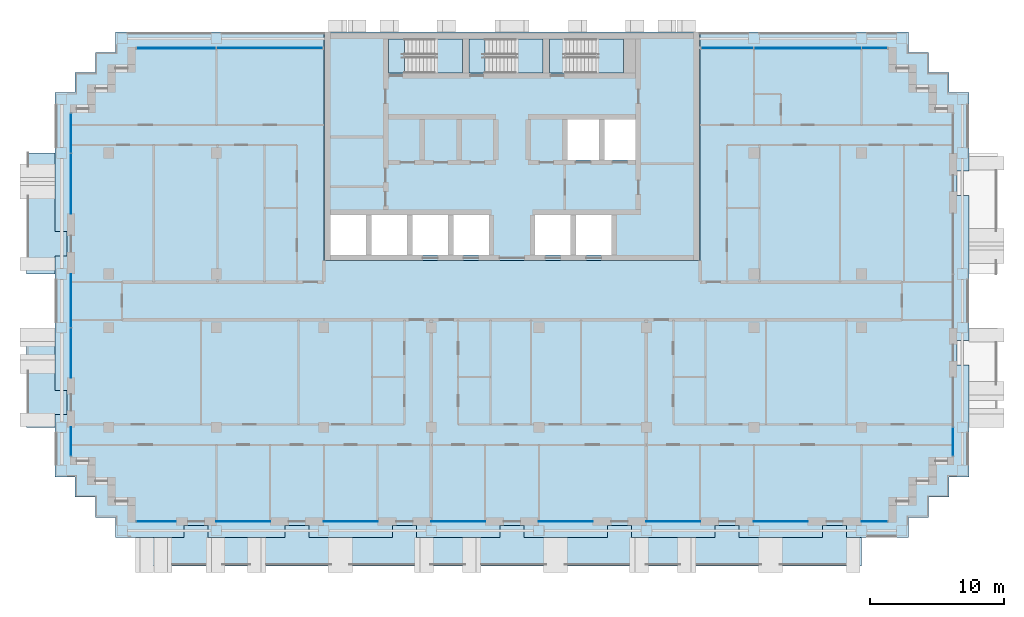
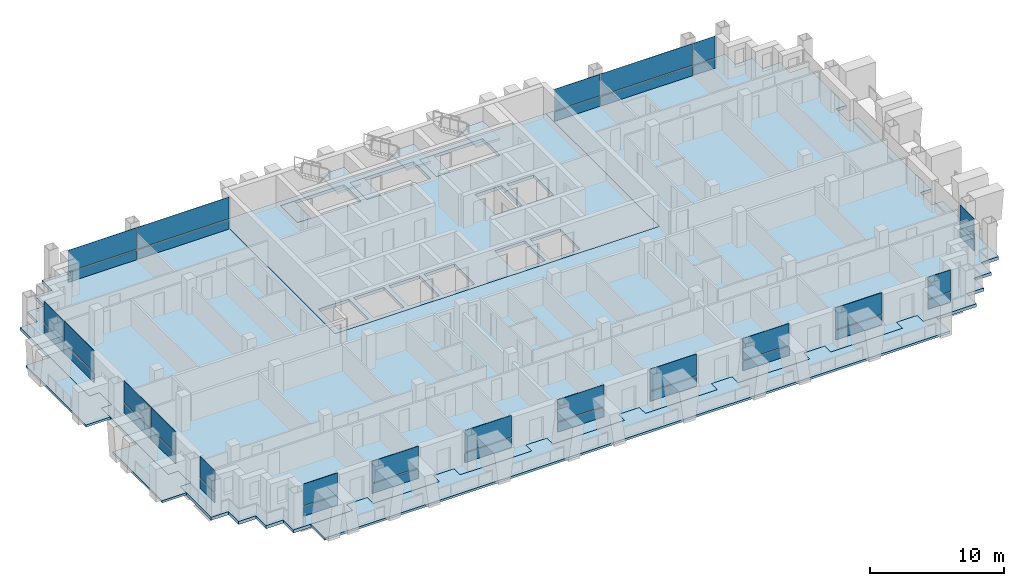
# One storey, part 6 of 16: 38 plates, 11 slabs, 17 elements without a shape of their own.
"""IFC4 building model written with IfcOpenShell, lengths in metres."""

from ifc_helpers import new_model, si_unit, direction, frame, origin, origin_2d, place, context, subcontext, project, spatial, polyline, rectangle, outline, extrude, material, layer, layer_set, type_object, element, aggregate, save


model = new_model("IFC4")

# Units and contexts
model_context = context("Model", 3, precision=1e-05, world=origin(), true_north=direction((0.0, 1.0)))
body_context = subcontext(model_context, "Body", "Model", "MODEL_VIEW")
ifc_project = project(units=[si_unit("LENGTHUNIT", "METRE"), si_unit("AREAUNIT", "SQUARE_METRE"), si_unit("VOLUMEUNIT", "CUBIC_METRE"), si_unit("PLANEANGLEUNIT", "RADIAN"), si_unit("MASSUNIT", "GRAM", prefix="KILO")], contexts=[model_context])

# Site, building, storey
site_placement = place(None, origin())
site = spatial("IfcSite", under=ifc_project, at=site_placement, CompositionType="ELEMENT")
building_placement = place(site_placement, origin())
building = spatial("IfcBuilding", under=site, at=building_placement, Name="Vidyagriha Tower", CompositionType="ELEMENT")
storey_placement = place(building_placement, frame((0.0, 0.0, 135.800048828125)))
storey = spatial("IfcBuildingStorey", under=building, at=storey_placement, Name="L35", CompositionType="ELEMENT", Elevation=135.800048828125)

# Curtain wall, plates
ifc_material_1 = material(Name="Aluminium and glass curtain wall", Category="aluminium")
curtain_wall_type = type_object("IfcCurtainWallType", Name="Dwelling skin unitised curtain wall", PredefinedType="USERDEFINED", material=ifc_material_1)
curtain_wall_1_placement = place(storey_placement, origin())
curtain_wall_1 = element("IfcCurtainWall", 1, at=curtain_wall_1_placement, inside=storey, type_object=curtain_wall_type, Name="CW1 dwelling skin", ObjectType="UNITISED", PredefinedType="USERDEFINED")
ifc_material_2 = material(Name="Glass dark ceramic-fritted spandrel", Category="glass")
ifc_layer_1 = layer(ifc_material_2, 0.0400390625)
ifc_layer_set_1 = layer_set([ifc_layer_1], Name="Glass dark ceramic-fritted spandrel")
plate_type_1 = type_object("IfcPlateType", Name="Ceramic-fritted spandrel panel", PredefinedType="CURTAIN_PANEL", material=ifc_layer_set_1)
plate_1_placement = place(storey_placement, frame((26.982421875, 18.800048828125, 0.0), z_axis=(0.0, 0.0, 1.0), x_axis=(-1.0, 0.0, 0.0)))
plate_1 = element("IfcPlate", 2, at=plate_1_placement, type_object=plate_type_1, Name="CW1 panel 1.1", PredefinedType="CURTAIN_PANEL", context=body_context, shape_type="SweptSolid", body=[
    extrude(rectangle(XDim=1.89501953125, YDim=0.0400390625, at=origin_2d()), origin(), (0.0, 0.0, 1.0), 0.85009765625),
])
plate_2_placement = place(storey_placement, frame((16.017578125, 18.800048828125, 0.0), z_axis=(0.0, 0.0, 1.0), x_axis=(-1.0, 0.0, 0.0)))
plate_2 = element("IfcPlate", 3, at=plate_2_placement, type_object=plate_type_1, Name="CW1 panel 3.1", PredefinedType="CURTAIN_PANEL", context=body_context, shape_type="SweptSolid", body=[
    extrude(rectangle(XDim=3.89501953125, YDim=0.0400390625, at=origin_2d()), origin(), (0.0, 0.0, 1.0), 0.85009765625),
])

# Curtain wall, plate
curtain_wall_2_placement = place(storey_placement, origin())
curtain_wall_2 = element("IfcCurtainWall", 4, at=curtain_wall_2_placement, inside=storey, type_object=curtain_wall_type, Name="CW1 dwelling skin", ObjectType="UNITISED", PredefinedType="USERDEFINED")
plate_3_placement = place(storey_placement, frame((-18.017578125, 18.800048828125, 0.0), z_axis=(0.0, 0.0, 1.0), x_axis=(-1.0, 0.0, 0.0)))
plate_3 = element("IfcPlate", 5, at=plate_3_placement, type_object=plate_type_1, Name="CW1 panel 1.1", PredefinedType="CURTAIN_PANEL", context=body_context, shape_type="SweptSolid", body=[
    extrude(rectangle(XDim=7.89501953125, YDim=0.0400390625, at=origin_2d()), origin(), (0.0, 0.0, 1.0), 0.85009765625),
])

# Curtain wall, plates
curtain_wall_3_placement = place(storey_placement, origin())
curtain_wall_3 = element("IfcCurtainWall", 6, at=curtain_wall_3_placement, inside=storey, type_object=curtain_wall_type, Name="CW1 dwelling skin", ObjectType="UNITISED", PredefinedType="USERDEFINED")
plate_4_placement = place(storey_placement, frame((-32.800048828125, 12.482421875, 0.0), z_axis=(0.0, 0.0, 1.0), x_axis=(0.0, -1.0, 0.0)))
plate_4 = element("IfcPlate", 7, at=plate_4_placement, type_object=plate_type_1, Name="CW1 panel 1.1", PredefinedType="CURTAIN_PANEL", context=body_context, shape_type="SweptSolid", body=[
    extrude(rectangle(XDim=2.89501953125, YDim=0.0400390625, at=origin_2d()), origin(), (0.0, 0.0, 1.0), 0.85009765625),
])
plate_5_placement = place(storey_placement, frame((-32.800048828125, 8.732421875, 0.0), z_axis=(0.0, 0.0, 1.0), x_axis=(0.0, -1.0, 0.0)))
plate_5 = element("IfcPlate", 8, at=plate_5_placement, type_object=plate_type_1, Name="CW1 panel 2.1", PredefinedType="CURTAIN_PANEL", context=body_context, shape_type="SweptSolid", body=[
    extrude(rectangle(XDim=4.465087890625, YDim=0.0400390625, at=origin_2d()), origin(), (0.0, 0.0, 1.0), 0.85009765625),
])

# Curtain wall, plate
curtain_wall_4_placement = place(storey_placement, origin())
curtain_wall_4 = element("IfcCurtainWall", 9, at=curtain_wall_4_placement, inside=storey, type_object=curtain_wall_type, Name="CW1 dwelling skin", ObjectType="UNITISED", PredefinedType="USERDEFINED")
plate_6_placement = place(storey_placement, frame((-32.800048828125, -10.465087890625, 0.0), z_axis=(0.0, 0.0, 1.0), x_axis=(0.0, -1.0, 0.0)))
plate_6 = element("IfcPlate", 10, at=plate_6_placement, type_object=plate_type_1, Name="CW1 panel 1.1", PredefinedType="CURTAIN_PANEL", context=body_context, shape_type="SweptSolid", body=[
    extrude(rectangle(XDim=2.1298828125, YDim=0.0400390625, at=origin_2d()), origin(), (0.0, 0.0, 1.0), 0.85009765625),
])

curtain_wall_5_placement = place(storey_placement, origin())
curtain_wall_5 = element("IfcCurtainWall", 11, at=curtain_wall_5_placement, inside=storey, type_object=curtain_wall_type, Name="CW1 dwelling skin", ObjectType="UNITISED", PredefinedType="USERDEFINED")
plate_7_placement = place(storey_placement, frame((-26.465087890625, -16.39990234375, 0.0)))
plate_7 = element("IfcPlate", 12, at=plate_7_placement, type_object=plate_type_1, Name="CW1 panel 1.1", PredefinedType="CURTAIN_PANEL", context=body_context, shape_type="SweptSolid", body=[
    extrude(rectangle(XDim=2.929931640625, YDim=0.0400390625, at=origin_2d()), origin(), (0.0, 0.0, 1.0), 0.85009765625),
])

curtain_wall_6_placement = place(storey_placement, origin())
curtain_wall_6 = element("IfcCurtainWall", 13, at=curtain_wall_6_placement, inside=storey, type_object=curtain_wall_type, Name="CW1 dwelling skin", ObjectType="UNITISED", PredefinedType="USERDEFINED")
plate_8_placement = place(storey_placement, frame((-12.0, -16.39990234375, 0.0)))
plate_8 = element("IfcPlate", 14, at=plate_8_placement, type_object=plate_type_1, Name="CW1 panel 1.1", PredefinedType="CURTAIN_PANEL", context=body_context, shape_type="SweptSolid", body=[
    extrude(rectangle(XDim=4.0, YDim=0.0400390625, at=origin_2d()), origin(), (0.0, 0.0, 1.0), 0.85009765625),
])

curtain_wall_7_placement = place(storey_placement, origin())
curtain_wall_7 = element("IfcCurtainWall", 15, at=curtain_wall_7_placement, inside=storey, type_object=curtain_wall_type, Name="CW1 dwelling skin", ObjectType="UNITISED", PredefinedType="USERDEFINED")
plate_9_placement = place(storey_placement, frame((4.0, -16.39990234375, 0.0)))
plate_9 = element("IfcPlate", 16, at=plate_9_placement, type_object=plate_type_1, Name="CW1 panel 1.1", PredefinedType="CURTAIN_PANEL", context=body_context, shape_type="SweptSolid", body=[
    extrude(rectangle(XDim=4.0, YDim=0.0400390625, at=origin_2d()), origin(), (0.0, 0.0, 1.0), 0.85009765625),
])

curtain_wall_8_placement = place(storey_placement, origin())
curtain_wall_8 = element("IfcCurtainWall", 17, at=curtain_wall_8_placement, inside=storey, type_object=curtain_wall_type, Name="CW1 dwelling skin", ObjectType="UNITISED", PredefinedType="USERDEFINED")
plate_10_placement = place(storey_placement, frame((20.0, -16.39990234375, 0.0)))
plate_10 = element("IfcPlate", 18, at=plate_10_placement, type_object=plate_type_1, Name="CW1 panel 1.1", PredefinedType="CURTAIN_PANEL", context=body_context, shape_type="SweptSolid", body=[
    extrude(rectangle(XDim=4.0, YDim=0.0400390625, at=origin_2d()), origin(), (0.0, 0.0, 1.0), 0.85009765625),
])

curtain_wall_9_placement = place(storey_placement, origin())
curtain_wall_9 = element("IfcCurtainWall", 19, at=curtain_wall_9_placement, inside=storey, type_object=curtain_wall_type, Name="CW1 dwelling skin", ObjectType="UNITISED", PredefinedType="USERDEFINED")
plate_11_placement = place(storey_placement, frame((26.965087890625, -16.39990234375, 0.0)))
plate_11 = element("IfcPlate", 20, at=plate_11_placement, type_object=plate_type_1, Name="CW1 panel 1.1", PredefinedType="CURTAIN_PANEL", context=body_context, shape_type="SweptSolid", body=[
    extrude(rectangle(XDim=1.929931640625, YDim=0.0400390625, at=origin_2d()), origin(), (0.0, 0.0, 1.0), 0.85009765625),
])

curtain_wall_10_placement = place(storey_placement, origin())
curtain_wall_10 = element("IfcCurtainWall", 21, at=curtain_wall_10_placement, inside=storey, type_object=curtain_wall_type, Name="CW1 dwelling skin", ObjectType="UNITISED", PredefinedType="USERDEFINED")
plate_12_placement = place(storey_placement, frame((32.800048828125, -10.482421875, 0.0), z_axis=(0.0, 0.0, 1.0), x_axis=(0.0, 1.0, 0.0)))
plate_12 = element("IfcPlate", 22, at=plate_12_placement, type_object=plate_type_1, Name="CW1 panel 1.1", PredefinedType="CURTAIN_PANEL", context=body_context, shape_type="SweptSolid", body=[
    extrude(rectangle(XDim=2.094970703125, YDim=0.0400390625, at=origin_2d()), origin(), (0.0, 0.0, 1.0), 0.85009765625),
])

# Slab
ifc_material_3 = material(Name="Concrete C60/75", Category="concrete")
ifc_layer_2 = layer(ifc_material_3, 0.280029296875)
ifc_layer_set_2 = layer_set([ifc_layer_2], Name="Concrete C60/75")
slab_type_1 = type_object("IfcSlabType", Name="Core floor slab 280 mm", PredefinedType="FLOOR", material=ifc_layer_set_2)
slab_1_placement = place(storey_placement, frame((0.0, 0.0, -0.280029296875)))
element("IfcSlab", 23, at=slab_1_placement, inside=storey, type_object=slab_type_1, Name="L35 core floor 1", PredefinedType="FLOOR", context=body_context, shape_type="SweptSolid", body=[
    extrude(outline(polyline([(-14.0, 3.0), (-14.0, 20.0), (14.0, 20.0), (14.0, 3.0), (-14.0, 3.0)]), holes=[polyline([(9.199951171875, 13.5), (6.86669921875, 13.5), (6.86669921875, 10.5), (9.199951171875, 10.5), (9.199951171875, 13.5)]), polyline([(4.0, 19.5), (2.800048828125, 19.5), (2.800048828125, 16.949951171875), (4.0, 16.949951171875), (8.300048828125, 16.949951171875), (8.300048828125, 19.5), (4.0, 19.5)]), polyline([(7.4111328125, 6.39990234375), (4.7666015625, 6.39990234375), (4.7666015625, 3.39990234375), (7.4111328125, 3.39990234375), (7.4111328125, 6.39990234375)]), polyline([(6.466796875, 13.5), (4.13330078125, 13.5), (4.13330078125, 10.5), (6.466796875, 10.5), (6.466796875, 13.5)]), polyline([(1.72216796875, 6.39990234375), (1.72216796875, 3.39990234375), (4.36669921875, 3.39990234375), (4.36669921875, 6.39990234375), (1.72216796875, 6.39990234375)]), polyline([(-2.0, 16.949951171875), (2.300048828125, 16.949951171875), (2.300048828125, 19.5), (-2.0, 19.5), (-3.199951171875, 19.5), (-3.199951171875, 16.949951171875), (-2.0, 16.949951171875)]), polyline([(-1.72216796875, 6.39990234375), (-4.36669921875, 6.39990234375), (-4.36669921875, 3.39990234375), (-1.72216796875, 3.39990234375), (-1.72216796875, 6.39990234375)]), polyline([(-8.0, 19.5), (-9.199951171875, 19.5), (-9.199951171875, 16.949951171875), (-8.0, 16.949951171875), (-3.699951171875, 16.949951171875), (-3.699951171875, 19.5), (-8.0, 19.5)]), polyline([(-4.7666015625, 6.39990234375), (-7.4111328125, 6.39990234375), (-7.4111328125, 3.39990234375), (-4.7666015625, 3.39990234375), (-4.7666015625, 6.39990234375)]), polyline([(-7.81103515625, 6.39990234375), (-10.45556640625, 6.39990234375), (-10.45556640625, 3.39990234375), (-7.81103515625, 3.39990234375), (-7.81103515625, 6.39990234375)]), polyline([(-13.5, 6.39990234375), (-13.5, 3.39990234375), (-10.855712890625, 3.39990234375), (-10.855712890625, 6.39990234375), (-13.5, 6.39990234375)])]), origin(), (0.0, 0.0, 1.0), 0.280029296875),
])

# Plate
ifc_material_4 = material(Name="Glass dark ceramic-fritted", Category="glass")
ifc_layer_3 = layer(ifc_material_4, 0.028076171875)
ifc_layer_set_3 = layer_set([ifc_layer_3], Name="Glass dark ceramic-fritted")
plate_type_2 = type_object("IfcPlateType", Name="Dark ceramic-fritted vision glass panel", PredefinedType="CURTAIN_PANEL", material=ifc_layer_set_3)
plate_13_placement = place(storey_placement, frame((26.982421875, 18.800048828125, 0.9501953125), z_axis=(0.0, 0.0, 1.0), x_axis=(-1.0, 0.0, 0.0)))
plate_13 = element("IfcPlate", 24, at=plate_13_placement, type_object=plate_type_2, Name="CW1 panel 1.2", PredefinedType="CURTAIN_PANEL", context=body_context, shape_type="SweptSolid", body=[
    extrude(rectangle(XDim=1.89501953125, YDim=0.028076171875, at=origin_2d()), origin(), (0.0, 0.0, 1.0), 1.969970703125),
])

plate_14_placement = place(storey_placement, frame((22.0, 18.800048828125, 0.9501953125), z_axis=(0.0, 0.0, 1.0), x_axis=(-1.0, 0.0, 0.0)))
plate_14 = element("IfcPlate", 25, at=plate_14_placement, type_object=plate_type_2, Name="CW1 panel 2.2", PredefinedType="CURTAIN_PANEL", context=body_context, shape_type="SweptSolid", body=[
    extrude(rectangle(XDim=7.929931640625, YDim=0.028076171875, at=origin_2d()), origin(), (0.0, 0.0, 1.0), 1.969970703125),
])

plate_15_placement = place(storey_placement, frame((16.017578125, 18.800048828125, 0.9501953125), z_axis=(0.0, 0.0, 1.0), x_axis=(-1.0, 0.0, 0.0)))
plate_15 = element("IfcPlate", 26, at=plate_15_placement, type_object=plate_type_2, Name="CW1 panel 3.2", PredefinedType="CURTAIN_PANEL", context=body_context, shape_type="SweptSolid", body=[
    extrude(rectangle(XDim=3.89501953125, YDim=0.028076171875, at=origin_2d()), origin(), (0.0, 0.0, 1.0), 1.969970703125),
])

plate_16_placement = place(storey_placement, frame((-18.017578125, 18.800048828125, 0.9501953125), z_axis=(0.0, 0.0, 1.0), x_axis=(-1.0, 0.0, 0.0)))
plate_16 = element("IfcPlate", 27, at=plate_16_placement, type_object=plate_type_2, Name="CW1 panel 1.2", PredefinedType="CURTAIN_PANEL", context=body_context, shape_type="SweptSolid", body=[
    extrude(rectangle(XDim=7.89501953125, YDim=0.028076171875, at=origin_2d()), origin(), (0.0, 0.0, 1.0), 1.969970703125),
])

plate_17_placement = place(storey_placement, frame((-24.982421875, 18.800048828125, 0.9501953125), z_axis=(0.0, 0.0, 1.0), x_axis=(-1.0, 0.0, 0.0)))
plate_17 = element("IfcPlate", 28, at=plate_17_placement, type_object=plate_type_2, Name="CW1 panel 2.2", PredefinedType="CURTAIN_PANEL", context=body_context, shape_type="SweptSolid", body=[
    extrude(rectangle(XDim=5.89501953125, YDim=0.028076171875, at=origin_2d()), origin(), (0.0, 0.0, 1.0), 1.969970703125),
])

plate_18_placement = place(storey_placement, frame((-32.800048828125, 12.482421875, 0.9501953125), z_axis=(0.0, 0.0, 1.0), x_axis=(0.0, -1.0, 0.0)))
plate_18 = element("IfcPlate", 29, at=plate_18_placement, type_object=plate_type_2, Name="CW1 panel 1.2", PredefinedType="CURTAIN_PANEL", context=body_context, shape_type="SweptSolid", body=[
    extrude(rectangle(XDim=2.89501953125, YDim=0.028076171875, at=origin_2d()), origin(), (0.0, 0.0, 1.0), 1.969970703125),
])

plate_19_placement = place(storey_placement, frame((-32.800048828125, 8.732421875, 0.9501953125), z_axis=(0.0, 0.0, 1.0), x_axis=(0.0, -1.0, 0.0)))
plate_19 = element("IfcPlate", 30, at=plate_19_placement, type_object=plate_type_2, Name="CW1 panel 2.2", PredefinedType="CURTAIN_PANEL", context=body_context, shape_type="SweptSolid", body=[
    extrude(rectangle(XDim=4.465087890625, YDim=0.028076171875, at=origin_2d()), origin(), (0.0, 0.0, 1.0), 1.969970703125),
])

aggregate(curtain_wall_3, [plate_4, plate_18, plate_5, plate_19])

# Curtain wall, plates
curtain_wall_11_placement = place(storey_placement, origin())
curtain_wall_11 = element("IfcCurtainWall", 31, at=curtain_wall_11_placement, inside=storey, type_object=curtain_wall_type, Name="CW1 dwelling skin", ObjectType="UNITISED", PredefinedType="USERDEFINED")
plate_20_placement = place(storey_placement, frame((-32.800048828125, 0.017578125, 0.9501953125), z_axis=(0.0, 0.0, 1.0), x_axis=(0.0, -1.0, 0.0)))
plate_20 = element("IfcPlate", 32, at=plate_20_placement, type_object=plate_type_2, Name="CW1 panel 1.2", PredefinedType="CURTAIN_PANEL", context=body_context, shape_type="SweptSolid", body=[
    extrude(rectangle(XDim=3.965087890625, YDim=0.028076171875, at=origin_2d()), origin(), (0.0, 0.0, 1.0), 1.969970703125),
])
plate_21_placement = place(storey_placement, frame((-32.800048828125, -3.867431640625, 0.9501953125), z_axis=(0.0, 0.0, 1.0), x_axis=(0.0, -1.0, 0.0)))
plate_21 = element("IfcPlate", 33, at=plate_21_placement, type_object=plate_type_2, Name="CW1 panel 2.2", PredefinedType="CURTAIN_PANEL", context=body_context, shape_type="SweptSolid", body=[
    extrude(rectangle(XDim=3.6650390625, YDim=0.028076171875, at=origin_2d()), origin(), (0.0, 0.0, 1.0), 1.969970703125),
])

# Plate
plate_22_placement = place(storey_placement, frame((-32.800048828125, -10.465087890625, 0.9501953125), z_axis=(0.0, 0.0, 1.0), x_axis=(0.0, -1.0, 0.0)))
plate_22 = element("IfcPlate", 34, at=plate_22_placement, type_object=plate_type_2, Name="CW1 panel 1.2", PredefinedType="CURTAIN_PANEL", context=body_context, shape_type="SweptSolid", body=[
    extrude(rectangle(XDim=2.1298828125, YDim=0.028076171875, at=origin_2d()), origin(), (0.0, 0.0, 1.0), 1.969970703125),
])

aggregate(curtain_wall_4, [plate_6, plate_22])

plate_23_placement = place(storey_placement, frame((-26.465087890625, -16.39990234375, 0.9501953125)))
plate_23 = element("IfcPlate", 35, at=plate_23_placement, type_object=plate_type_2, Name="CW1 panel 1.2", PredefinedType="CURTAIN_PANEL", context=body_context, shape_type="SweptSolid", body=[
    extrude(rectangle(XDim=2.929931640625, YDim=0.028076171875, at=origin_2d()), origin(), (0.0, 0.0, 1.0), 1.969970703125),
])

aggregate(curtain_wall_5, [plate_7, plate_23])

# Curtain wall, plate
curtain_wall_12_placement = place(storey_placement, origin())
curtain_wall_12 = element("IfcCurtainWall", 36, at=curtain_wall_12_placement, inside=storey, type_object=curtain_wall_type, Name="CW1 dwelling skin", ObjectType="UNITISED", PredefinedType="USERDEFINED")
plate_24_placement = place(storey_placement, frame((-20.0, -16.39990234375, 0.9501953125)))
plate_24 = element("IfcPlate", 37, at=plate_24_placement, type_object=plate_type_2, Name="CW1 panel 1.2", PredefinedType="CURTAIN_PANEL", context=body_context, shape_type="SweptSolid", body=[
    extrude(rectangle(XDim=4.0, YDim=0.028076171875, at=origin_2d()), origin(), (0.0, 0.0, 1.0), 1.969970703125),
])

# Plate
plate_25_placement = place(storey_placement, frame((-12.0, -16.39990234375, 0.9501953125)))
plate_25 = element("IfcPlate", 38, at=plate_25_placement, type_object=plate_type_2, Name="CW1 panel 1.2", PredefinedType="CURTAIN_PANEL", context=body_context, shape_type="SweptSolid", body=[
    extrude(rectangle(XDim=4.0, YDim=0.028076171875, at=origin_2d()), origin(), (0.0, 0.0, 1.0), 1.969970703125),
])

aggregate(curtain_wall_6, [plate_8, plate_25])

# Curtain wall, plate
curtain_wall_13_placement = place(storey_placement, origin())
curtain_wall_13 = element("IfcCurtainWall", 39, at=curtain_wall_13_placement, inside=storey, type_object=curtain_wall_type, Name="CW1 dwelling skin", ObjectType="UNITISED", PredefinedType="USERDEFINED")
plate_26_placement = place(storey_placement, frame((-4.0, -16.39990234375, 0.9501953125)))
plate_26 = element("IfcPlate", 40, at=plate_26_placement, type_object=plate_type_2, Name="CW1 panel 1.2", PredefinedType="CURTAIN_PANEL", context=body_context, shape_type="SweptSolid", body=[
    extrude(rectangle(XDim=4.0, YDim=0.028076171875, at=origin_2d()), origin(), (0.0, 0.0, 1.0), 1.969970703125),
])

# Plate
plate_27_placement = place(storey_placement, frame((4.0, -16.39990234375, 0.9501953125)))
plate_27 = element("IfcPlate", 41, at=plate_27_placement, type_object=plate_type_2, Name="CW1 panel 1.2", PredefinedType="CURTAIN_PANEL", context=body_context, shape_type="SweptSolid", body=[
    extrude(rectangle(XDim=4.0, YDim=0.028076171875, at=origin_2d()), origin(), (0.0, 0.0, 1.0), 1.969970703125),
])

aggregate(curtain_wall_7, [plate_9, plate_27])

# Curtain wall, plate
curtain_wall_14_placement = place(storey_placement, origin())
curtain_wall_14 = element("IfcCurtainWall", 42, at=curtain_wall_14_placement, inside=storey, type_object=curtain_wall_type, Name="CW1 dwelling skin", ObjectType="UNITISED", PredefinedType="USERDEFINED")
plate_28_placement = place(storey_placement, frame((12.0, -16.39990234375, 0.9501953125)))
plate_28 = element("IfcPlate", 43, at=plate_28_placement, type_object=plate_type_2, Name="CW1 panel 1.2", PredefinedType="CURTAIN_PANEL", context=body_context, shape_type="SweptSolid", body=[
    extrude(rectangle(XDim=4.0, YDim=0.028076171875, at=origin_2d()), origin(), (0.0, 0.0, 1.0), 1.969970703125),
])

# Plate
plate_29_placement = place(storey_placement, frame((20.0, -16.39990234375, 0.9501953125)))
plate_29 = element("IfcPlate", 44, at=plate_29_placement, type_object=plate_type_2, Name="CW1 panel 1.2", PredefinedType="CURTAIN_PANEL", context=body_context, shape_type="SweptSolid", body=[
    extrude(rectangle(XDim=4.0, YDim=0.028076171875, at=origin_2d()), origin(), (0.0, 0.0, 1.0), 1.969970703125),
])

aggregate(curtain_wall_8, [plate_10, plate_29])

plate_30_placement = place(storey_placement, frame((26.965087890625, -16.39990234375, 0.9501953125)))
plate_30 = element("IfcPlate", 45, at=plate_30_placement, type_object=plate_type_2, Name="CW1 panel 1.2", PredefinedType="CURTAIN_PANEL", context=body_context, shape_type="SweptSolid", body=[
    extrude(rectangle(XDim=1.929931640625, YDim=0.028076171875, at=origin_2d()), origin(), (0.0, 0.0, 1.0), 1.969970703125),
])

aggregate(curtain_wall_9, [plate_11, plate_30])

plate_31_placement = place(storey_placement, frame((32.800048828125, -10.482421875, 0.9501953125), z_axis=(0.0, 0.0, 1.0), x_axis=(0.0, 1.0, 0.0)))
plate_31 = element("IfcPlate", 46, at=plate_31_placement, type_object=plate_type_2, Name="CW1 panel 1.2", PredefinedType="CURTAIN_PANEL", context=body_context, shape_type="SweptSolid", body=[
    extrude(rectangle(XDim=2.094970703125, YDim=0.028076171875, at=origin_2d()), origin(), (0.0, 0.0, 1.0), 1.969970703125),
])

aggregate(curtain_wall_10, [plate_12, plate_31])

# Slabs
ifc_material_5 = material(Name="Concrete C40/50", Category="concrete")
ifc_layer_4 = layer(ifc_material_5, 0.280029296875)
ifc_layer_set_4 = layer_set([ifc_layer_4], Name="Concrete C40/50")
slab_type_2 = type_object("IfcSlabType", Name="Exit stair floor landing 280 mm", PredefinedType="LANDING", material=ifc_layer_set_4)
slab_2_placement = place(storey_placement, frame((0.0, 0.0, -0.280029296875)))
element("IfcSlab", 47, at=slab_2_placement, inside=storey, type_object=slab_type_2, Name="ST1 floor landing L35", PredefinedType="LANDING", context=body_context, shape_type="SweptSolid", body=[
    extrude(outline(polyline([(-9.199951171875, 16.949951171875), (-8.0, 16.949951171875), (-8.0, 19.5), (-9.199951171875, 19.5), (-9.199951171875, 16.949951171875)])), origin(), (0.0, 0.0, 1.0), 0.280029296875),
])
slab_3_placement = place(storey_placement, frame((0.0, 0.0, -0.280029296875)))
element("IfcSlab", 48, at=slab_3_placement, inside=storey, type_object=slab_type_2, Name="ST2 floor landing L35", PredefinedType="LANDING", context=body_context, shape_type="SweptSolid", body=[
    extrude(outline(polyline([(-3.199951171875, 16.949951171875), (-2.0, 16.949951171875), (-2.0, 19.5), (-3.199951171875, 19.5), (-3.199951171875, 16.949951171875)])), origin(), (0.0, 0.0, 1.0), 0.280029296875),
])
slab_4_placement = place(storey_placement, frame((0.0, 0.0, -0.280029296875)))
element("IfcSlab", 49, at=slab_4_placement, inside=storey, type_object=slab_type_2, Name="ST3 floor landing L35", PredefinedType="LANDING", context=body_context, shape_type="SweptSolid", body=[
    extrude(outline(polyline([(2.800048828125, 16.949951171875), (4.0, 16.949951171875), (4.0, 19.5), (2.800048828125, 19.5), (2.800048828125, 16.949951171875)])), origin(), (0.0, 0.0, 1.0), 0.280029296875),
])

# Stair, slab
ifc_material_6 = material(Name="Concrete C40/50", Category="concrete")
stair_type = type_object("IfcStairType", Name="Exit stair, half-turn, precast flights", PredefinedType="HALF_TURN_STAIR", material=ifc_material_6)
stair_1_placement = place(storey_placement, origin())
stair_1 = element("IfcStair", 50, at=stair_1_placement, inside=storey, type_object=stair_type, Name="L35 Exit Stair ST1", PredefinedType="HALF_TURN_STAIR")
ifc_material_7 = material(Name="Concrete C40/50", Category="concrete")
ifc_layer_5 = layer(ifc_material_7, 0.199951171875)
ifc_layer_set_5 = layer_set([ifc_layer_5], Name="Concrete C40/50")
slab_type_3 = type_object("IfcSlabType", Name="Exit stair landing 200 mm", PredefinedType="LANDING", material=ifc_layer_set_5)
slab_5_placement = place(storey_placement, frame((0.0, 0.0, 1.39990234375)))
slab_5 = element("IfcSlab", 51, at=slab_5_placement, type_object=slab_type_3, Name="ST1 landing 1", PredefinedType="LANDING", context=body_context, shape_type="SweptSolid", body=[
    extrude(outline(polyline([(-5.760009765625, 16.949951171875), (-3.699951171875, 16.949951171875), (-3.699951171875, 19.5), (-5.760009765625, 19.5), (-5.760009765625, 16.949951171875)])), origin(), (0.0, 0.0, 1.0), 0.199951171875),
])
aggregate(stair_1, [slab_5])

stair_2_placement = place(storey_placement, origin())
stair_2 = element("IfcStair", 52, at=stair_2_placement, inside=storey, type_object=stair_type, Name="L35 Exit Stair ST2", PredefinedType="HALF_TURN_STAIR")
slab_6_placement = place(storey_placement, frame((0.0, 0.0, 1.39990234375)))
slab_6 = element("IfcSlab", 53, at=slab_6_placement, type_object=slab_type_3, Name="ST2 landing 1", PredefinedType="LANDING", context=body_context, shape_type="SweptSolid", body=[
    extrude(outline(polyline([(0.239990234375, 16.949951171875), (2.300048828125, 16.949951171875), (2.300048828125, 19.5), (0.239990234375, 19.5), (0.239990234375, 16.949951171875)])), origin(), (0.0, 0.0, 1.0), 0.199951171875),
])
aggregate(stair_2, [slab_6])

stair_3_placement = place(storey_placement, origin())
stair_3 = element("IfcStair", 54, at=stair_3_placement, inside=storey, type_object=stair_type, Name="L35 Exit Stair ST3", PredefinedType="HALF_TURN_STAIR")
slab_7_placement = place(storey_placement, frame((0.0, 0.0, 1.39990234375)))
slab_7 = element("IfcSlab", 55, at=slab_7_placement, type_object=slab_type_3, Name="ST3 landing 1", PredefinedType="LANDING", context=body_context, shape_type="SweptSolid", body=[
    extrude(outline(polyline([(6.239990234375, 16.949951171875), (8.300048828125, 16.949951171875), (8.300048828125, 19.5), (6.239990234375, 19.5), (6.239990234375, 16.949951171875)])), origin(), (0.0, 0.0, 1.0), 0.199951171875),
])
aggregate(stair_3, [slab_7])

# Plate
ifc_material_8 = material(Name="Aluminium black anodised", Category="aluminium")
ifc_layer_6 = layer(ifc_material_8, 0.06005859375)
ifc_layer_set_6 = layer_set([ifc_layer_6], Name="Aluminium black anodised")
plate_type_3 = type_object("IfcPlateType", Name="Operable black-metal vent panel", PredefinedType="CURTAIN_PANEL", material=ifc_layer_set_6)
plate_32_placement = place(storey_placement, frame((22.0, 18.800048828125, 0.0), z_axis=(0.0, 0.0, 1.0), x_axis=(-1.0, 0.0, 0.0)))
plate_32 = element("IfcPlate", 56, at=plate_32_placement, type_object=plate_type_3, Name="CW1 panel 2.1", PredefinedType="CURTAIN_PANEL", context=body_context, shape_type="SweptSolid", body=[
    extrude(rectangle(XDim=7.929931640625, YDim=0.06005859375, at=origin_2d()), origin(), (0.0, 0.0, 1.0), 0.85009765625),
])

aggregate(curtain_wall_1, [plate_1, plate_13, plate_32, plate_14, plate_2, plate_15])

plate_33_placement = place(storey_placement, frame((-24.982421875, 18.800048828125, 0.0), z_axis=(0.0, 0.0, 1.0), x_axis=(-1.0, 0.0, 0.0)))
plate_33 = element("IfcPlate", 57, at=plate_33_placement, type_object=plate_type_3, Name="CW1 panel 2.1", PredefinedType="CURTAIN_PANEL", context=body_context, shape_type="SweptSolid", body=[
    extrude(rectangle(XDim=5.89501953125, YDim=0.06005859375, at=origin_2d()), origin(), (0.0, 0.0, 1.0), 0.85009765625),
])

aggregate(curtain_wall_2, [plate_3, plate_16, plate_33, plate_17])

plate_34_placement = place(storey_placement, frame((-32.800048828125, 0.017578125, 0.0), z_axis=(0.0, 0.0, 1.0), x_axis=(0.0, -1.0, 0.0)))
plate_34 = element("IfcPlate", 58, at=plate_34_placement, type_object=plate_type_3, Name="CW1 panel 1.1", PredefinedType="CURTAIN_PANEL", context=body_context, shape_type="SweptSolid", body=[
    extrude(rectangle(XDim=3.965087890625, YDim=0.06005859375, at=origin_2d()), origin(), (0.0, 0.0, 1.0), 0.85009765625),
])

plate_35_placement = place(storey_placement, frame((-32.800048828125, -3.867431640625, 0.0), z_axis=(0.0, 0.0, 1.0), x_axis=(0.0, -1.0, 0.0)))
plate_35 = element("IfcPlate", 59, at=plate_35_placement, type_object=plate_type_3, Name="CW1 panel 2.1", PredefinedType="CURTAIN_PANEL", context=body_context, shape_type="SweptSolid", body=[
    extrude(rectangle(XDim=3.6650390625, YDim=0.06005859375, at=origin_2d()), origin(), (0.0, 0.0, 1.0), 0.85009765625),
])

aggregate(curtain_wall_11, [plate_34, plate_20, plate_35, plate_21])

plate_36_placement = place(storey_placement, frame((-20.0, -16.39990234375, 0.0)))
plate_36 = element("IfcPlate", 60, at=plate_36_placement, type_object=plate_type_3, Name="CW1 panel 1.1", PredefinedType="CURTAIN_PANEL", context=body_context, shape_type="SweptSolid", body=[
    extrude(rectangle(XDim=4.0, YDim=0.06005859375, at=origin_2d()), origin(), (0.0, 0.0, 1.0), 0.85009765625),
])

aggregate(curtain_wall_12, [plate_36, plate_24])

plate_37_placement = place(storey_placement, frame((-4.0, -16.39990234375, 0.0)))
plate_37 = element("IfcPlate", 61, at=plate_37_placement, type_object=plate_type_3, Name="CW1 panel 1.1", PredefinedType="CURTAIN_PANEL", context=body_context, shape_type="SweptSolid", body=[
    extrude(rectangle(XDim=4.0, YDim=0.06005859375, at=origin_2d()), origin(), (0.0, 0.0, 1.0), 0.85009765625),
])

aggregate(curtain_wall_13, [plate_37, plate_26])

plate_38_placement = place(storey_placement, frame((12.0, -16.39990234375, 0.0)))
plate_38 = element("IfcPlate", 62, at=plate_38_placement, type_object=plate_type_3, Name="CW1 panel 1.1", PredefinedType="CURTAIN_PANEL", context=body_context, shape_type="SweptSolid", body=[
    extrude(rectangle(XDim=4.0, YDim=0.06005859375, at=origin_2d()), origin(), (0.0, 0.0, 1.0), 0.85009765625),
])

aggregate(curtain_wall_14, [plate_38, plate_28])

# Slabs
ifc_material_9 = material(Name="Concrete C50/60", Category="concrete")
ifc_layer_7 = layer(ifc_material_9, 0.280029296875)
ifc_layer_set_7 = layer_set([ifc_layer_7], Name="Concrete C50/60")
slab_type_4 = type_object("IfcSlabType", Name="Post-tensioned flat plate 280", PredefinedType="FLOOR", material=ifc_layer_set_7)
slab_8_placement = place(storey_placement, frame((0.0, 0.0, -0.280029296875)))
element("IfcSlab", 63, at=slab_8_placement, inside=storey, type_object=slab_type_4, Name="st-slab-L35-1", PredefinedType="FLOOR", context=body_context, shape_type="SweptSolid", body=[
    extrude(outline(polyline([(32.5, -14.60009765625), (31.0, -14.60009765625), (31.0, -16.10009765625), (29.5, -16.10009765625), (29.5, -17.60009765625), (24.89990234375, -17.60009765625), (24.89990234375, -16.699951171875), (23.10009765625, -16.699951171875), (23.10009765625, -17.60009765625), (16.89990234375, -17.60009765625), (16.89990234375, -16.699951171875), (15.10009765625, -16.699951171875), (15.10009765625, -17.60009765625), (8.89990234375, -17.60009765625), (8.89990234375, -16.699951171875), (7.10009765625, -16.699951171875), (7.10009765625, -17.60009765625), (0.89990234375, -17.60009765625), (0.89990234375, -16.699951171875), (-0.89990234375, -16.699951171875), (-0.89990234375, -17.60009765625), (-7.10009765625, -17.60009765625), (-7.10009765625, -16.699951171875), (-8.89990234375, -16.699951171875), (-8.89990234375, -17.60009765625), (-15.10009765625, -17.60009765625), (-15.10009765625, -16.699951171875), (-16.89990234375, -16.699951171875), (-16.89990234375, -17.60009765625), (-22.60009765625, -17.60009765625), (-22.60009765625, -16.699951171875), (-24.39990234375, -16.699951171875), (-24.39990234375, -17.60009765625), (-29.5, -17.60009765625), (-29.5, -16.10009765625), (-31.0, -16.10009765625), (-31.0, -14.60009765625), (-32.5, -14.60009765625), (-32.5, -13.10009765625), (-34.0, -13.10009765625), (-34.0, -8.449951171875), (-33.10009765625, -8.449951171875), (-33.10009765625, -6.64990234375), (-34.0, -6.64990234375), (-34.0, 3.35009765625), (-33.10009765625, 3.35009765625), (-33.10009765625, 5.14990234375), (-34.0, 5.14990234375), (-34.0, 15.5), (-32.5, 15.5), (-32.5, 17.0), (-31.0, 17.0), (-31.0, 18.5), (-29.5, 18.5), (-29.5, 20.0), (-14.0, 20.0), (-14.0, 3.0), (14.0, 3.0), (14.0, 20.0), (29.5, 20.0), (29.5, 18.5), (31.0, 18.5), (31.0, 17.0), (32.5, 17.0), (32.5, 15.5), (34.0, 15.5), (34.0, 9.64990234375), (33.10009765625, 9.64990234375), (33.10009765625, 7.85009765625), (34.0, 7.85009765625), (34.0, -2.949951171875), (33.10009765625, -2.949951171875), (33.10009765625, -4.75), (34.0, -4.75), (34.0, -13.10009765625), (32.5, -13.10009765625), (32.5, -14.60009765625)])), origin(), (0.0, 0.0, 1.0), 0.280029296875),
])
ifc_material_10 = material(Name="Precast concrete C40/50", Category="concrete")
ifc_layer_8 = layer(ifc_material_10, 0.199951171875)
ifc_layer_set_8 = layer_set([ifc_layer_8], Name="Precast concrete C40/50")
slab_type_5 = type_object("IfcSlabType", Name="Precast balcony slab 200", PredefinedType="USERDEFINED", material=ifc_layer_set_8)
slab_9_placement = place(storey_placement, frame((0.0, 0.0, -0.199951171875)))
element("IfcSlab", 64, at=slab_9_placement, inside=storey, type_object=slab_type_5, Name="Balcony slab L35 R16.1-1", ObjectType="BALCONY", PredefinedType="USERDEFINED", context=body_context, shape_type="SweptSolid", body=[
    extrude(outline(polyline([(-33.10009765625, 3.35009765625), (-33.10009765625, 5.14990234375), (-34.0, 5.14990234375), (-34.0, 11.0), (-36.10009765625, 11.0), (-36.10009765625, 2.0), (-34.0, 2.0), (-34.0, 3.35009765625), (-33.10009765625, 3.35009765625)])), origin(), (0.0, 0.0, 1.0), 0.199951171875),
])
slab_10_placement = place(storey_placement, frame((0.0, 0.0, -0.199951171875)))
element("IfcSlab", 65, at=slab_10_placement, inside=storey, type_object=slab_type_5, Name="Balcony slab L35 R16.2-2", ObjectType="BALCONY", PredefinedType="USERDEFINED", context=body_context, shape_type="SweptSolid", body=[
    extrude(outline(polyline([(-33.10009765625, -8.449951171875), (-33.10009765625, -6.64990234375), (-34.0, -6.64990234375), (-34.0, -2.0), (-36.10009765625, -2.0), (-36.10009765625, -9.39990234375), (-34.0, -9.39990234375), (-34.0, -8.449951171875), (-33.10009765625, -8.449951171875)])), origin(), (0.0, 0.0, 1.0), 0.199951171875),
])
slab_11_placement = place(storey_placement, frame((0.0, 0.0, -0.199951171875)))
element("IfcSlab", 66, at=slab_11_placement, inside=storey, type_object=slab_type_5, Name="Balcony slab L35 R23.1-7", ObjectType="BALCONY", PredefinedType="USERDEFINED", context=body_context, shape_type="SweptSolid", body=[
    extrude(outline(polyline([(-22.60009765625, -16.699951171875), (-24.39990234375, -16.699951171875), (-24.39990234375, -17.60009765625), (-28.0, -17.60009765625), (-28.0, -19.699951171875), (26.0, -19.699951171875), (26.0, -17.60009765625), (24.89990234375, -17.60009765625), (24.89990234375, -16.699951171875), (23.10009765625, -16.699951171875), (23.10009765625, -17.60009765625), (16.89990234375, -17.60009765625), (16.89990234375, -16.699951171875), (15.10009765625, -16.699951171875), (15.10009765625, -17.60009765625), (8.89990234375, -17.60009765625), (8.89990234375, -16.699951171875), (7.10009765625, -16.699951171875), (7.10009765625, -17.60009765625), (0.89990234375, -17.60009765625), (0.89990234375, -16.699951171875), (-0.89990234375, -16.699951171875), (-0.89990234375, -17.60009765625), (-7.10009765625, -17.60009765625), (-7.10009765625, -16.699951171875), (-8.89990234375, -16.699951171875), (-8.89990234375, -17.60009765625), (-15.10009765625, -17.60009765625), (-15.10009765625, -16.699951171875), (-16.89990234375, -16.699951171875), (-16.89990234375, -17.60009765625), (-22.60009765625, -17.60009765625), (-22.60009765625, -16.699951171875)])), origin(), (0.0, 0.0, 1.0), 0.199951171875),
])

save(model, "model.ifc")
